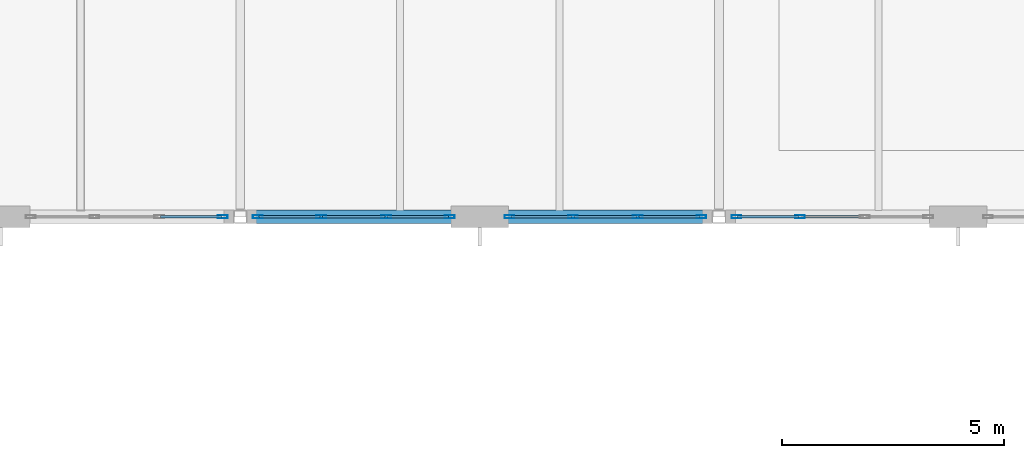
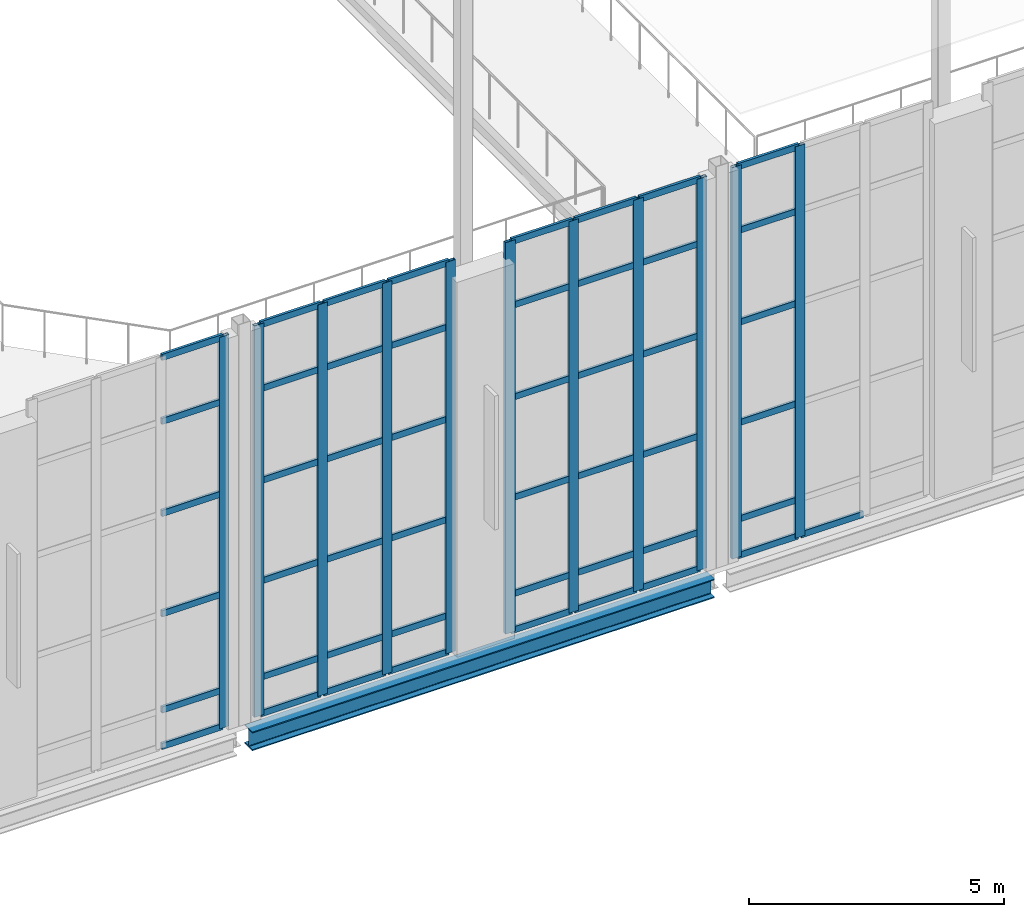
# One storey, part 28 of 100: 60 members, 1 beam, 4 elements without a shape of their own.
"""IFC4 building model written with IfcOpenShell, lengths in metres."""

from ifc_helpers import new_model, si_unit, direction, frame, origin, origin_2d, place, context, subcontext, project, spatial, hollow_rectangle, i_section, extrude, material, layer, layer_set, material_profile, profile_set, type_object, element, aggregate, save


model = new_model("IFC4")

# Units and contexts
model_context = context("Model", 3, precision=1e-05, world=origin(), true_north=direction((0.0, 1.0)))
body_context = subcontext(model_context, "Body", "Model", "MODEL_VIEW")
ifc_project = project(units=[si_unit("LENGTHUNIT", "METRE"), si_unit("AREAUNIT", "SQUARE_METRE"), si_unit("VOLUMEUNIT", "CUBIC_METRE"), si_unit("PLANEANGLEUNIT", "RADIAN"), si_unit("MASSUNIT", "GRAM", prefix="KILO")], contexts=[model_context])

# Site, building, storey
site_placement = place(None, origin())
site = spatial("IfcSite", under=ifc_project, at=site_placement, CompositionType="ELEMENT")
building_placement = place(site_placement, origin())
building = spatial("IfcBuilding", under=site, at=building_placement, Name="Tasgan Crest Museum", CompositionType="ELEMENT")
storey_placement = place(building_placement, frame((0.0, 0.0, 14.39990234375)))
storey = spatial("IfcBuildingStorey", under=building, at=storey_placement, Name="L03", CompositionType="ELEMENT", Elevation=14.39990234375)

# Beam
ifc_material_1 = material(Name="Steel S355J2", Category="steel")
ifc_material_profile_1 = material_profile(ifc_material_1, i_section(OverallWidth=0.300048828125, OverallDepth=0.449951171875, WebThickness=0.013916015625, FlangeThickness=0.02587890625, FilletRadius=0.027099609375, at=origin_2d()), Name="HEB 450")
ifc_profile_set_1 = profile_set([ifc_material_profile_1], Name="Steel S355J2")
beam_type = type_object("IfcBeamType", Name="BM-G-HEB450", PredefinedType="BEAM", material=ifc_profile_set_1)
beam_placement = place(storey_placement, frame((64.973876953125, 40.0, -0.46484375), z_axis=(1.0, 0.0, 0.0), x_axis=(0.0, 1.0, 0.0)))
element("IfcBeam", 1, at=beam_placement, inside=storey, type_object=beam_type, Name="Girder L03 E 64.8-75.6", PredefinedType="BEAM", context=body_context, shape_type="SweptSolid", body=[
    extrude(i_section(OverallWidth=0.300048828125, OverallDepth=0.449951171875, WebThickness=0.013916015625, FlangeThickness=0.02587890625, FilletRadius=0.027099609375, at=origin_2d()), origin(), (0.0, 0.0, 1.0), 10.452392578125),
])

# Curtain wall, member
ifc_material_2 = material(Name="Triple-Glazed Aluminium Curtain Wall", Category="aluminium")
ifc_layer = layer(ifc_material_2, 0.179931640625, Name="CW-DRUM-X-96")
ifc_layer_set = layer_set([ifc_layer], Name="Triple-Glazed Aluminium Curtain Wall")
curtain_wall_type = type_object("IfcCurtainWallType", Name="CW-DRUM-X-96", PredefinedType="NOTDEFINED", material=ifc_layer_set)
curtain_wall_1_placement = place(storey_placement, origin())
curtain_wall_1 = element("IfcCurtainWall", 2, at=curtain_wall_1_placement, inside=storey, type_object=curtain_wall_type, Name="Curtain wall L03 146", PredefinedType="NOTDEFINED")
ifc_material_3 = material(Name="Anodised Aluminium", Category="aluminium")
ifc_material_profile_2 = material_profile(ifc_material_3, hollow_rectangle(XDim=0.074951171875, YDim=0.219970703125, WallThickness=0.006103515625, at=origin_2d()), Name="ALU MULLION 220x75x6")
ifc_profile_set_2 = profile_set([ifc_material_profile_2], Name="Anodised Aluminium")
member_type_1 = type_object("IfcMemberType", Name="CW-MULLION-220", PredefinedType="MULLION", material=ifc_profile_set_2)
member_1_placement = place(storey_placement, frame((64.405029296875, 40.0, 0.0), z_axis=(0.0, 0.0, 1.0), x_axis=(0.0, 1.0, 0.0)))
member_1 = element("IfcMember", 3, at=member_1_placement, type_object=member_type_1, Name="CW06 mullion 4", PredefinedType="MULLION", context=body_context, shape_type="SweptSolid", body=[
    extrude(hollow_rectangle(XDim=0.074951171875, YDim=0.219970703125, WallThickness=0.006103515625, at=origin_2d()), origin(), (0.0, 0.0, 1.0), 9.360107421875),
])

# Curtain wall, members
curtain_wall_2_placement = place(storey_placement, origin())
curtain_wall_2 = element("IfcCurtainWall", 4, at=curtain_wall_2_placement, inside=storey, type_object=curtain_wall_type, Name="Curtain wall L03 147", PredefinedType="NOTDEFINED")
member_2_placement = place(storey_placement, frame((65.195068359375, 40.0, 0.0), z_axis=(0.0, 0.0, 1.0), x_axis=(0.0, 1.0, 0.0)))
member_2 = element("IfcMember", 5, at=member_2_placement, type_object=member_type_1, Name="CW06 mullion 1", PredefinedType="MULLION", context=body_context, shape_type="SweptSolid", body=[
    extrude(hollow_rectangle(XDim=0.074951171875, YDim=0.219970703125, WallThickness=0.006103515625, at=origin_2d()), origin(), (0.0, 0.0, 1.0), 9.360107421875),
])
member_3_placement = place(storey_placement, frame((66.62841796875, 40.0, 0.0), z_axis=(0.0, 0.0, 1.0), x_axis=(0.0, 1.0, 0.0)))
member_3 = element("IfcMember", 6, at=member_3_placement, type_object=member_type_1, Name="CW06 mullion 2", PredefinedType="MULLION", context=body_context, shape_type="SweptSolid", body=[
    extrude(hollow_rectangle(XDim=0.074951171875, YDim=0.219970703125, WallThickness=0.006103515625, at=origin_2d()), origin(), (0.0, 0.0, 1.0), 9.360107421875),
])
member_4_placement = place(storey_placement, frame((68.091552734375, 40.0, 0.0), z_axis=(0.0, 0.0, 1.0), x_axis=(0.0, 1.0, 0.0)))
member_4 = element("IfcMember", 7, at=member_4_placement, type_object=member_type_1, Name="CW06 mullion 3", PredefinedType="MULLION", context=body_context, shape_type="SweptSolid", body=[
    extrude(hollow_rectangle(XDim=0.074951171875, YDim=0.219970703125, WallThickness=0.006103515625, at=origin_2d()), origin(), (0.0, 0.0, 1.0), 9.360107421875),
])
member_5_placement = place(storey_placement, frame((69.52490234375, 40.0, 0.0), z_axis=(0.0, 0.0, 1.0), x_axis=(0.0, 1.0, 0.0)))
member_5 = element("IfcMember", 8, at=member_5_placement, type_object=member_type_1, Name="CW06 mullion 4", PredefinedType="MULLION", context=body_context, shape_type="SweptSolid", body=[
    extrude(hollow_rectangle(XDim=0.074951171875, YDim=0.219970703125, WallThickness=0.006103515625, at=origin_2d()), origin(), (0.0, 0.0, 1.0), 9.360107421875),
])

curtain_wall_3_placement = place(storey_placement, origin())
curtain_wall_3 = element("IfcCurtainWall", 9, at=curtain_wall_3_placement, inside=storey, type_object=curtain_wall_type, Name="Curtain wall L03 148", PredefinedType="NOTDEFINED")
member_6_placement = place(storey_placement, frame((70.875, 40.0, 0.0), z_axis=(0.0, 0.0, 1.0), x_axis=(0.0, 1.0, 0.0)))
member_6 = element("IfcMember", 10, at=member_6_placement, type_object=member_type_1, Name="CW06 mullion 1", PredefinedType="MULLION", context=body_context, shape_type="SweptSolid", body=[
    extrude(hollow_rectangle(XDim=0.074951171875, YDim=0.219970703125, WallThickness=0.006103515625, at=origin_2d()), origin(), (0.0, 0.0, 1.0), 9.360107421875),
])
member_7_placement = place(storey_placement, frame((72.308349609375, 40.0, 0.0), z_axis=(0.0, 0.0, 1.0), x_axis=(0.0, 1.0, 0.0)))
member_7 = element("IfcMember", 11, at=member_7_placement, type_object=member_type_1, Name="CW06 mullion 2", PredefinedType="MULLION", context=body_context, shape_type="SweptSolid", body=[
    extrude(hollow_rectangle(XDim=0.074951171875, YDim=0.219970703125, WallThickness=0.006103515625, at=origin_2d()), origin(), (0.0, 0.0, 1.0), 9.360107421875),
])
member_8_placement = place(storey_placement, frame((73.771728515625, 40.0, 0.0), z_axis=(0.0, 0.0, 1.0), x_axis=(0.0, 1.0, 0.0)))
member_8 = element("IfcMember", 12, at=member_8_placement, type_object=member_type_1, Name="CW06 mullion 3", PredefinedType="MULLION", context=body_context, shape_type="SweptSolid", body=[
    extrude(hollow_rectangle(XDim=0.074951171875, YDim=0.219970703125, WallThickness=0.006103515625, at=origin_2d()), origin(), (0.0, 0.0, 1.0), 9.360107421875),
])
member_9_placement = place(storey_placement, frame((75.205078125, 40.0, 0.0), z_axis=(0.0, 0.0, 1.0), x_axis=(0.0, 1.0, 0.0)))
member_9 = element("IfcMember", 13, at=member_9_placement, type_object=member_type_1, Name="CW06 mullion 4", PredefinedType="MULLION", context=body_context, shape_type="SweptSolid", body=[
    extrude(hollow_rectangle(XDim=0.074951171875, YDim=0.219970703125, WallThickness=0.006103515625, at=origin_2d()), origin(), (0.0, 0.0, 1.0), 9.360107421875),
])

curtain_wall_4_placement = place(storey_placement, origin())
curtain_wall_4 = element("IfcCurtainWall", 14, at=curtain_wall_4_placement, inside=storey, type_object=curtain_wall_type, Name="Curtain wall L03 149", PredefinedType="NOTDEFINED")
member_10_placement = place(storey_placement, frame((75.9951171875, 40.0, 0.0), z_axis=(0.0, 0.0, 1.0), x_axis=(0.0, 1.0, 0.0)))
member_10 = element("IfcMember", 15, at=member_10_placement, type_object=member_type_1, Name="CW06 mullion 1", PredefinedType="MULLION", context=body_context, shape_type="SweptSolid", body=[
    extrude(hollow_rectangle(XDim=0.074951171875, YDim=0.219970703125, WallThickness=0.006103515625, at=origin_2d()), origin(), (0.0, 0.0, 1.0), 9.360107421875),
])
member_11_placement = place(storey_placement, frame((77.42822265625, 40.0, 0.0), z_axis=(0.0, 0.0, 1.0), x_axis=(0.0, 1.0, 0.0)))
member_11 = element("IfcMember", 16, at=member_11_placement, type_object=member_type_1, Name="CW06 mullion 2", PredefinedType="MULLION", context=body_context, shape_type="SweptSolid", body=[
    extrude(hollow_rectangle(XDim=0.074951171875, YDim=0.219970703125, WallThickness=0.006103515625, at=origin_2d()), origin(), (0.0, 0.0, 1.0), 9.360107421875),
])

# Member
ifc_material_4 = material(Name="Anodised Aluminium", Category="aluminium")
ifc_material_profile_3 = material_profile(ifc_material_4, hollow_rectangle(XDim=0.06005859375, YDim=0.14990234375, WallThickness=0.0048828125, at=origin_2d()), Name="ALU TRANSOM 150x60x5")
ifc_profile_set_3 = profile_set([ifc_material_profile_3], Name="Anodised Aluminium")
member_type_2 = type_object("IfcMemberType", Name="CW-TRANSOM-150", PredefinedType="USERDEFINED", material=ifc_profile_set_3)
member_12_placement = place(storey_placement, frame((63.001708984375, 40.0, 0.030029296875), z_axis=(1.0, 0.0, 0.0), x_axis=(0.0, 1.0, 0.0)))
member_12 = element("IfcMember", 17, at=member_12_placement, type_object=member_type_2, Name="CW06 transom 3.1", ObjectType="TRANSOM", PredefinedType="USERDEFINED", context=body_context, shape_type="SweptSolid", body=[
    extrude(hollow_rectangle(XDim=0.06005859375, YDim=0.14990234375, WallThickness=0.0048828125, at=origin_2d()), origin(), (0.0, 0.0, 1.0), 1.373291015625),
])

member_13_placement = place(storey_placement, frame((63.001708984375, 40.0, 0.900146484375), z_axis=(1.0, 0.0, 0.0), x_axis=(0.0, 1.0, 0.0)))
member_13 = element("IfcMember", 18, at=member_13_placement, type_object=member_type_2, Name="CW06 transom 3.2", ObjectType="TRANSOM", PredefinedType="USERDEFINED", context=body_context, shape_type="SweptSolid", body=[
    extrude(hollow_rectangle(XDim=0.06005859375, YDim=0.14990234375, WallThickness=0.0048828125, at=origin_2d()), origin(), (0.0, 0.0, 1.0), 1.373291015625),
])

member_14_placement = place(storey_placement, frame((63.001708984375, 40.0, 3.2001953125), z_axis=(1.0, 0.0, 0.0), x_axis=(0.0, 1.0, 0.0)))
member_14 = element("IfcMember", 19, at=member_14_placement, type_object=member_type_2, Name="CW06 transom 3.3", ObjectType="TRANSOM", PredefinedType="USERDEFINED", context=body_context, shape_type="SweptSolid", body=[
    extrude(hollow_rectangle(XDim=0.06005859375, YDim=0.14990234375, WallThickness=0.0048828125, at=origin_2d()), origin(), (0.0, 0.0, 1.0), 1.373291015625),
])

member_15_placement = place(storey_placement, frame((63.001708984375, 40.0, 5.60009765625), z_axis=(1.0, 0.0, 0.0), x_axis=(0.0, 1.0, 0.0)))
member_15 = element("IfcMember", 20, at=member_15_placement, type_object=member_type_2, Name="CW06 transom 3.4", ObjectType="TRANSOM", PredefinedType="USERDEFINED", context=body_context, shape_type="SweptSolid", body=[
    extrude(hollow_rectangle(XDim=0.06005859375, YDim=0.14990234375, WallThickness=0.0048828125, at=origin_2d()), origin(), (0.0, 0.0, 1.0), 1.373291015625),
])

member_16_placement = place(storey_placement, frame((63.001708984375, 40.0, 7.800048828125), z_axis=(1.0, 0.0, 0.0), x_axis=(0.0, 1.0, 0.0)))
member_16 = element("IfcMember", 21, at=member_16_placement, type_object=member_type_2, Name="CW06 transom 3.5", ObjectType="TRANSOM", PredefinedType="USERDEFINED", context=body_context, shape_type="SweptSolid", body=[
    extrude(hollow_rectangle(XDim=0.06005859375, YDim=0.14990234375, WallThickness=0.0048828125, at=origin_2d()), origin(), (0.0, 0.0, 1.0), 1.373291015625),
])

member_17_placement = place(storey_placement, frame((63.001708984375, 40.0, 9.330078125), z_axis=(1.0, 0.0, 0.0), x_axis=(0.0, 1.0, 0.0)))
member_17 = element("IfcMember", 22, at=member_17_placement, type_object=member_type_2, Name="CW06 transom 3.6", ObjectType="TRANSOM", PredefinedType="USERDEFINED", context=body_context, shape_type="SweptSolid", body=[
    extrude(hollow_rectangle(XDim=0.06005859375, YDim=0.14990234375, WallThickness=0.0048828125, at=origin_2d()), origin(), (0.0, 0.0, 1.0), 1.373291015625),
])

aggregate(curtain_wall_1, [member_1, member_12, member_13, member_14, member_15, member_16, member_17])

member_18_placement = place(storey_placement, frame((65.22509765625, 40.0, 0.030029296875), z_axis=(1.0, 0.0, 0.0), x_axis=(0.0, 1.0, 0.0)))
member_18 = element("IfcMember", 23, at=member_18_placement, type_object=member_type_2, Name="CW06 transom 1.1", ObjectType="TRANSOM", PredefinedType="USERDEFINED", context=body_context, shape_type="SweptSolid", body=[
    extrude(hollow_rectangle(XDim=0.06005859375, YDim=0.14990234375, WallThickness=0.0048828125, at=origin_2d()), origin(), (0.0, 0.0, 1.0), 1.373291015625),
])

member_19_placement = place(storey_placement, frame((65.22509765625, 40.0, 0.900146484375), z_axis=(1.0, 0.0, 0.0), x_axis=(0.0, 1.0, 0.0)))
member_19 = element("IfcMember", 24, at=member_19_placement, type_object=member_type_2, Name="CW06 transom 1.2", ObjectType="TRANSOM", PredefinedType="USERDEFINED", context=body_context, shape_type="SweptSolid", body=[
    extrude(hollow_rectangle(XDim=0.06005859375, YDim=0.14990234375, WallThickness=0.0048828125, at=origin_2d()), origin(), (0.0, 0.0, 1.0), 1.373291015625),
])

member_20_placement = place(storey_placement, frame((65.22509765625, 40.0, 3.2001953125), z_axis=(1.0, 0.0, 0.0), x_axis=(0.0, 1.0, 0.0)))
member_20 = element("IfcMember", 25, at=member_20_placement, type_object=member_type_2, Name="CW06 transom 1.3", ObjectType="TRANSOM", PredefinedType="USERDEFINED", context=body_context, shape_type="SweptSolid", body=[
    extrude(hollow_rectangle(XDim=0.06005859375, YDim=0.14990234375, WallThickness=0.0048828125, at=origin_2d()), origin(), (0.0, 0.0, 1.0), 1.373291015625),
])

member_21_placement = place(storey_placement, frame((65.22509765625, 40.0, 5.60009765625), z_axis=(1.0, 0.0, 0.0), x_axis=(0.0, 1.0, 0.0)))
member_21 = element("IfcMember", 26, at=member_21_placement, type_object=member_type_2, Name="CW06 transom 1.4", ObjectType="TRANSOM", PredefinedType="USERDEFINED", context=body_context, shape_type="SweptSolid", body=[
    extrude(hollow_rectangle(XDim=0.06005859375, YDim=0.14990234375, WallThickness=0.0048828125, at=origin_2d()), origin(), (0.0, 0.0, 1.0), 1.373291015625),
])

member_22_placement = place(storey_placement, frame((65.22509765625, 40.0, 7.800048828125), z_axis=(1.0, 0.0, 0.0), x_axis=(0.0, 1.0, 0.0)))
member_22 = element("IfcMember", 27, at=member_22_placement, type_object=member_type_2, Name="CW06 transom 1.5", ObjectType="TRANSOM", PredefinedType="USERDEFINED", context=body_context, shape_type="SweptSolid", body=[
    extrude(hollow_rectangle(XDim=0.06005859375, YDim=0.14990234375, WallThickness=0.0048828125, at=origin_2d()), origin(), (0.0, 0.0, 1.0), 1.373291015625),
])

member_23_placement = place(storey_placement, frame((65.22509765625, 40.0, 9.330078125), z_axis=(1.0, 0.0, 0.0), x_axis=(0.0, 1.0, 0.0)))
member_23 = element("IfcMember", 28, at=member_23_placement, type_object=member_type_2, Name="CW06 transom 1.6", ObjectType="TRANSOM", PredefinedType="USERDEFINED", context=body_context, shape_type="SweptSolid", body=[
    extrude(hollow_rectangle(XDim=0.06005859375, YDim=0.14990234375, WallThickness=0.0048828125, at=origin_2d()), origin(), (0.0, 0.0, 1.0), 1.373291015625),
])

member_24_placement = place(storey_placement, frame((66.658447265625, 40.0, 0.030029296875), z_axis=(1.0, 0.0, 0.0), x_axis=(0.0, 1.0, 0.0)))
member_24 = element("IfcMember", 29, at=member_24_placement, type_object=member_type_2, Name="CW06 transom 2.1", ObjectType="TRANSOM", PredefinedType="USERDEFINED", context=body_context, shape_type="SweptSolid", body=[
    extrude(hollow_rectangle(XDim=0.06005859375, YDim=0.14990234375, WallThickness=0.0048828125, at=origin_2d()), origin(), (0.0, 0.0, 1.0), 1.4033203125),
])

member_25_placement = place(storey_placement, frame((66.658447265625, 40.0, 0.900146484375), z_axis=(1.0, 0.0, 0.0), x_axis=(0.0, 1.0, 0.0)))
member_25 = element("IfcMember", 30, at=member_25_placement, type_object=member_type_2, Name="CW06 transom 2.2", ObjectType="TRANSOM", PredefinedType="USERDEFINED", context=body_context, shape_type="SweptSolid", body=[
    extrude(hollow_rectangle(XDim=0.06005859375, YDim=0.14990234375, WallThickness=0.0048828125, at=origin_2d()), origin(), (0.0, 0.0, 1.0), 1.4033203125),
])

member_26_placement = place(storey_placement, frame((66.658447265625, 40.0, 3.2001953125), z_axis=(1.0, 0.0, 0.0), x_axis=(0.0, 1.0, 0.0)))
member_26 = element("IfcMember", 31, at=member_26_placement, type_object=member_type_2, Name="CW06 transom 2.3", ObjectType="TRANSOM", PredefinedType="USERDEFINED", context=body_context, shape_type="SweptSolid", body=[
    extrude(hollow_rectangle(XDim=0.06005859375, YDim=0.14990234375, WallThickness=0.0048828125, at=origin_2d()), origin(), (0.0, 0.0, 1.0), 1.4033203125),
])

member_27_placement = place(storey_placement, frame((66.658447265625, 40.0, 5.60009765625), z_axis=(1.0, 0.0, 0.0), x_axis=(0.0, 1.0, 0.0)))
member_27 = element("IfcMember", 32, at=member_27_placement, type_object=member_type_2, Name="CW06 transom 2.4", ObjectType="TRANSOM", PredefinedType="USERDEFINED", context=body_context, shape_type="SweptSolid", body=[
    extrude(hollow_rectangle(XDim=0.06005859375, YDim=0.14990234375, WallThickness=0.0048828125, at=origin_2d()), origin(), (0.0, 0.0, 1.0), 1.4033203125),
])

member_28_placement = place(storey_placement, frame((66.658447265625, 40.0, 7.800048828125), z_axis=(1.0, 0.0, 0.0), x_axis=(0.0, 1.0, 0.0)))
member_28 = element("IfcMember", 33, at=member_28_placement, type_object=member_type_2, Name="CW06 transom 2.5", ObjectType="TRANSOM", PredefinedType="USERDEFINED", context=body_context, shape_type="SweptSolid", body=[
    extrude(hollow_rectangle(XDim=0.06005859375, YDim=0.14990234375, WallThickness=0.0048828125, at=origin_2d()), origin(), (0.0, 0.0, 1.0), 1.4033203125),
])

member_29_placement = place(storey_placement, frame((66.658447265625, 40.0, 9.330078125), z_axis=(1.0, 0.0, 0.0), x_axis=(0.0, 1.0, 0.0)))
member_29 = element("IfcMember", 34, at=member_29_placement, type_object=member_type_2, Name="CW06 transom 2.6", ObjectType="TRANSOM", PredefinedType="USERDEFINED", context=body_context, shape_type="SweptSolid", body=[
    extrude(hollow_rectangle(XDim=0.06005859375, YDim=0.14990234375, WallThickness=0.0048828125, at=origin_2d()), origin(), (0.0, 0.0, 1.0), 1.4033203125),
])

member_30_placement = place(storey_placement, frame((68.12158203125, 40.0, 0.030029296875), z_axis=(1.0, 0.0, 0.0), x_axis=(0.0, 1.0, 0.0)))
member_30 = element("IfcMember", 35, at=member_30_placement, type_object=member_type_2, Name="CW06 transom 3.1", ObjectType="TRANSOM", PredefinedType="USERDEFINED", context=body_context, shape_type="SweptSolid", body=[
    extrude(hollow_rectangle(XDim=0.06005859375, YDim=0.14990234375, WallThickness=0.0048828125, at=origin_2d()), origin(), (0.0, 0.0, 1.0), 1.37353515625),
])

member_31_placement = place(storey_placement, frame((68.12158203125, 40.0, 0.900146484375), z_axis=(1.0, 0.0, 0.0), x_axis=(0.0, 1.0, 0.0)))
member_31 = element("IfcMember", 36, at=member_31_placement, type_object=member_type_2, Name="CW06 transom 3.2", ObjectType="TRANSOM", PredefinedType="USERDEFINED", context=body_context, shape_type="SweptSolid", body=[
    extrude(hollow_rectangle(XDim=0.06005859375, YDim=0.14990234375, WallThickness=0.0048828125, at=origin_2d()), origin(), (0.0, 0.0, 1.0), 1.37353515625),
])

member_32_placement = place(storey_placement, frame((68.12158203125, 40.0, 3.2001953125), z_axis=(1.0, 0.0, 0.0), x_axis=(0.0, 1.0, 0.0)))
member_32 = element("IfcMember", 37, at=member_32_placement, type_object=member_type_2, Name="CW06 transom 3.3", ObjectType="TRANSOM", PredefinedType="USERDEFINED", context=body_context, shape_type="SweptSolid", body=[
    extrude(hollow_rectangle(XDim=0.06005859375, YDim=0.14990234375, WallThickness=0.0048828125, at=origin_2d()), origin(), (0.0, 0.0, 1.0), 1.37353515625),
])

member_33_placement = place(storey_placement, frame((68.12158203125, 40.0, 5.60009765625), z_axis=(1.0, 0.0, 0.0), x_axis=(0.0, 1.0, 0.0)))
member_33 = element("IfcMember", 38, at=member_33_placement, type_object=member_type_2, Name="CW06 transom 3.4", ObjectType="TRANSOM", PredefinedType="USERDEFINED", context=body_context, shape_type="SweptSolid", body=[
    extrude(hollow_rectangle(XDim=0.06005859375, YDim=0.14990234375, WallThickness=0.0048828125, at=origin_2d()), origin(), (0.0, 0.0, 1.0), 1.37353515625),
])

member_34_placement = place(storey_placement, frame((68.12158203125, 40.0, 7.800048828125), z_axis=(1.0, 0.0, 0.0), x_axis=(0.0, 1.0, 0.0)))
member_34 = element("IfcMember", 39, at=member_34_placement, type_object=member_type_2, Name="CW06 transom 3.5", ObjectType="TRANSOM", PredefinedType="USERDEFINED", context=body_context, shape_type="SweptSolid", body=[
    extrude(hollow_rectangle(XDim=0.06005859375, YDim=0.14990234375, WallThickness=0.0048828125, at=origin_2d()), origin(), (0.0, 0.0, 1.0), 1.37353515625),
])

member_35_placement = place(storey_placement, frame((68.12158203125, 40.0, 9.330078125), z_axis=(1.0, 0.0, 0.0), x_axis=(0.0, 1.0, 0.0)))
member_35 = element("IfcMember", 40, at=member_35_placement, type_object=member_type_2, Name="CW06 transom 3.6", ObjectType="TRANSOM", PredefinedType="USERDEFINED", context=body_context, shape_type="SweptSolid", body=[
    extrude(hollow_rectangle(XDim=0.06005859375, YDim=0.14990234375, WallThickness=0.0048828125, at=origin_2d()), origin(), (0.0, 0.0, 1.0), 1.37353515625),
])

aggregate(curtain_wall_2, [member_2, member_3, member_4, member_5, member_18, member_19, member_20, member_21, member_22, member_23, member_24, member_25, member_26, member_27, member_28, member_29, member_30, member_31, member_32, member_33, member_34, member_35])

member_36_placement = place(storey_placement, frame((70.905029296875, 40.0, 0.030029296875), z_axis=(1.0, 0.0, 0.0), x_axis=(0.0, 1.0, 0.0)))
member_36 = element("IfcMember", 41, at=member_36_placement, type_object=member_type_2, Name="CW06 transom 1.1", ObjectType="TRANSOM", PredefinedType="USERDEFINED", context=body_context, shape_type="SweptSolid", body=[
    extrude(hollow_rectangle(XDim=0.06005859375, YDim=0.14990234375, WallThickness=0.0048828125, at=origin_2d()), origin(), (0.0, 0.0, 1.0), 1.373291015625),
])

member_37_placement = place(storey_placement, frame((70.905029296875, 40.0, 0.900146484375), z_axis=(1.0, 0.0, 0.0), x_axis=(0.0, 1.0, 0.0)))
member_37 = element("IfcMember", 42, at=member_37_placement, type_object=member_type_2, Name="CW06 transom 1.2", ObjectType="TRANSOM", PredefinedType="USERDEFINED", context=body_context, shape_type="SweptSolid", body=[
    extrude(hollow_rectangle(XDim=0.06005859375, YDim=0.14990234375, WallThickness=0.0048828125, at=origin_2d()), origin(), (0.0, 0.0, 1.0), 1.373291015625),
])

member_38_placement = place(storey_placement, frame((70.905029296875, 40.0, 3.2001953125), z_axis=(1.0, 0.0, 0.0), x_axis=(0.0, 1.0, 0.0)))
member_38 = element("IfcMember", 43, at=member_38_placement, type_object=member_type_2, Name="CW06 transom 1.3", ObjectType="TRANSOM", PredefinedType="USERDEFINED", context=body_context, shape_type="SweptSolid", body=[
    extrude(hollow_rectangle(XDim=0.06005859375, YDim=0.14990234375, WallThickness=0.0048828125, at=origin_2d()), origin(), (0.0, 0.0, 1.0), 1.373291015625),
])

member_39_placement = place(storey_placement, frame((70.905029296875, 40.0, 5.60009765625), z_axis=(1.0, 0.0, 0.0), x_axis=(0.0, 1.0, 0.0)))
member_39 = element("IfcMember", 44, at=member_39_placement, type_object=member_type_2, Name="CW06 transom 1.4", ObjectType="TRANSOM", PredefinedType="USERDEFINED", context=body_context, shape_type="SweptSolid", body=[
    extrude(hollow_rectangle(XDim=0.06005859375, YDim=0.14990234375, WallThickness=0.0048828125, at=origin_2d()), origin(), (0.0, 0.0, 1.0), 1.373291015625),
])

member_40_placement = place(storey_placement, frame((70.905029296875, 40.0, 7.800048828125), z_axis=(1.0, 0.0, 0.0), x_axis=(0.0, 1.0, 0.0)))
member_40 = element("IfcMember", 45, at=member_40_placement, type_object=member_type_2, Name="CW06 transom 1.5", ObjectType="TRANSOM", PredefinedType="USERDEFINED", context=body_context, shape_type="SweptSolid", body=[
    extrude(hollow_rectangle(XDim=0.06005859375, YDim=0.14990234375, WallThickness=0.0048828125, at=origin_2d()), origin(), (0.0, 0.0, 1.0), 1.373291015625),
])

member_41_placement = place(storey_placement, frame((70.905029296875, 40.0, 9.330078125), z_axis=(1.0, 0.0, 0.0), x_axis=(0.0, 1.0, 0.0)))
member_41 = element("IfcMember", 46, at=member_41_placement, type_object=member_type_2, Name="CW06 transom 1.6", ObjectType="TRANSOM", PredefinedType="USERDEFINED", context=body_context, shape_type="SweptSolid", body=[
    extrude(hollow_rectangle(XDim=0.06005859375, YDim=0.14990234375, WallThickness=0.0048828125, at=origin_2d()), origin(), (0.0, 0.0, 1.0), 1.373291015625),
])

member_42_placement = place(storey_placement, frame((72.33837890625, 40.0, 0.030029296875), z_axis=(1.0, 0.0, 0.0), x_axis=(0.0, 1.0, 0.0)))
member_42 = element("IfcMember", 47, at=member_42_placement, type_object=member_type_2, Name="CW06 transom 2.1", ObjectType="TRANSOM", PredefinedType="USERDEFINED", context=body_context, shape_type="SweptSolid", body=[
    extrude(hollow_rectangle(XDim=0.06005859375, YDim=0.14990234375, WallThickness=0.0048828125, at=origin_2d()), origin(), (0.0, 0.0, 1.0), 1.4033203125),
])

member_43_placement = place(storey_placement, frame((72.33837890625, 40.0, 0.900146484375), z_axis=(1.0, 0.0, 0.0), x_axis=(0.0, 1.0, 0.0)))
member_43 = element("IfcMember", 48, at=member_43_placement, type_object=member_type_2, Name="CW06 transom 2.2", ObjectType="TRANSOM", PredefinedType="USERDEFINED", context=body_context, shape_type="SweptSolid", body=[
    extrude(hollow_rectangle(XDim=0.06005859375, YDim=0.14990234375, WallThickness=0.0048828125, at=origin_2d()), origin(), (0.0, 0.0, 1.0), 1.4033203125),
])

member_44_placement = place(storey_placement, frame((72.33837890625, 40.0, 3.2001953125), z_axis=(1.0, 0.0, 0.0), x_axis=(0.0, 1.0, 0.0)))
member_44 = element("IfcMember", 49, at=member_44_placement, type_object=member_type_2, Name="CW06 transom 2.3", ObjectType="TRANSOM", PredefinedType="USERDEFINED", context=body_context, shape_type="SweptSolid", body=[
    extrude(hollow_rectangle(XDim=0.06005859375, YDim=0.14990234375, WallThickness=0.0048828125, at=origin_2d()), origin(), (0.0, 0.0, 1.0), 1.4033203125),
])

member_45_placement = place(storey_placement, frame((72.33837890625, 40.0, 5.60009765625), z_axis=(1.0, 0.0, 0.0), x_axis=(0.0, 1.0, 0.0)))
member_45 = element("IfcMember", 50, at=member_45_placement, type_object=member_type_2, Name="CW06 transom 2.4", ObjectType="TRANSOM", PredefinedType="USERDEFINED", context=body_context, shape_type="SweptSolid", body=[
    extrude(hollow_rectangle(XDim=0.06005859375, YDim=0.14990234375, WallThickness=0.0048828125, at=origin_2d()), origin(), (0.0, 0.0, 1.0), 1.4033203125),
])

member_46_placement = place(storey_placement, frame((72.33837890625, 40.0, 7.800048828125), z_axis=(1.0, 0.0, 0.0), x_axis=(0.0, 1.0, 0.0)))
member_46 = element("IfcMember", 51, at=member_46_placement, type_object=member_type_2, Name="CW06 transom 2.5", ObjectType="TRANSOM", PredefinedType="USERDEFINED", context=body_context, shape_type="SweptSolid", body=[
    extrude(hollow_rectangle(XDim=0.06005859375, YDim=0.14990234375, WallThickness=0.0048828125, at=origin_2d()), origin(), (0.0, 0.0, 1.0), 1.4033203125),
])

member_47_placement = place(storey_placement, frame((72.33837890625, 40.0, 9.330078125), z_axis=(1.0, 0.0, 0.0), x_axis=(0.0, 1.0, 0.0)))
member_47 = element("IfcMember", 52, at=member_47_placement, type_object=member_type_2, Name="CW06 transom 2.6", ObjectType="TRANSOM", PredefinedType="USERDEFINED", context=body_context, shape_type="SweptSolid", body=[
    extrude(hollow_rectangle(XDim=0.06005859375, YDim=0.14990234375, WallThickness=0.0048828125, at=origin_2d()), origin(), (0.0, 0.0, 1.0), 1.4033203125),
])

member_48_placement = place(storey_placement, frame((73.8017578125, 40.0, 0.030029296875), z_axis=(1.0, 0.0, 0.0), x_axis=(0.0, 1.0, 0.0)))
member_48 = element("IfcMember", 53, at=member_48_placement, type_object=member_type_2, Name="CW06 transom 3.1", ObjectType="TRANSOM", PredefinedType="USERDEFINED", context=body_context, shape_type="SweptSolid", body=[
    extrude(hollow_rectangle(XDim=0.06005859375, YDim=0.14990234375, WallThickness=0.0048828125, at=origin_2d()), origin(), (0.0, 0.0, 1.0), 1.373291015625),
])

member_49_placement = place(storey_placement, frame((73.8017578125, 40.0, 0.900146484375), z_axis=(1.0, 0.0, 0.0), x_axis=(0.0, 1.0, 0.0)))
member_49 = element("IfcMember", 54, at=member_49_placement, type_object=member_type_2, Name="CW06 transom 3.2", ObjectType="TRANSOM", PredefinedType="USERDEFINED", context=body_context, shape_type="SweptSolid", body=[
    extrude(hollow_rectangle(XDim=0.06005859375, YDim=0.14990234375, WallThickness=0.0048828125, at=origin_2d()), origin(), (0.0, 0.0, 1.0), 1.373291015625),
])

member_50_placement = place(storey_placement, frame((73.8017578125, 40.0, 3.2001953125), z_axis=(1.0, 0.0, 0.0), x_axis=(0.0, 1.0, 0.0)))
member_50 = element("IfcMember", 55, at=member_50_placement, type_object=member_type_2, Name="CW06 transom 3.3", ObjectType="TRANSOM", PredefinedType="USERDEFINED", context=body_context, shape_type="SweptSolid", body=[
    extrude(hollow_rectangle(XDim=0.06005859375, YDim=0.14990234375, WallThickness=0.0048828125, at=origin_2d()), origin(), (0.0, 0.0, 1.0), 1.373291015625),
])

member_51_placement = place(storey_placement, frame((73.8017578125, 40.0, 5.60009765625), z_axis=(1.0, 0.0, 0.0), x_axis=(0.0, 1.0, 0.0)))
member_51 = element("IfcMember", 56, at=member_51_placement, type_object=member_type_2, Name="CW06 transom 3.4", ObjectType="TRANSOM", PredefinedType="USERDEFINED", context=body_context, shape_type="SweptSolid", body=[
    extrude(hollow_rectangle(XDim=0.06005859375, YDim=0.14990234375, WallThickness=0.0048828125, at=origin_2d()), origin(), (0.0, 0.0, 1.0), 1.373291015625),
])

member_52_placement = place(storey_placement, frame((73.8017578125, 40.0, 7.800048828125), z_axis=(1.0, 0.0, 0.0), x_axis=(0.0, 1.0, 0.0)))
member_52 = element("IfcMember", 57, at=member_52_placement, type_object=member_type_2, Name="CW06 transom 3.5", ObjectType="TRANSOM", PredefinedType="USERDEFINED", context=body_context, shape_type="SweptSolid", body=[
    extrude(hollow_rectangle(XDim=0.06005859375, YDim=0.14990234375, WallThickness=0.0048828125, at=origin_2d()), origin(), (0.0, 0.0, 1.0), 1.373291015625),
])

member_53_placement = place(storey_placement, frame((73.8017578125, 40.0, 9.330078125), z_axis=(1.0, 0.0, 0.0), x_axis=(0.0, 1.0, 0.0)))
member_53 = element("IfcMember", 58, at=member_53_placement, type_object=member_type_2, Name="CW06 transom 3.6", ObjectType="TRANSOM", PredefinedType="USERDEFINED", context=body_context, shape_type="SweptSolid", body=[
    extrude(hollow_rectangle(XDim=0.06005859375, YDim=0.14990234375, WallThickness=0.0048828125, at=origin_2d()), origin(), (0.0, 0.0, 1.0), 1.373291015625),
])

aggregate(curtain_wall_3, [member_6, member_7, member_8, member_9, member_36, member_37, member_38, member_39, member_40, member_41, member_42, member_43, member_44, member_45, member_46, member_47, member_48, member_49, member_50, member_51, member_52, member_53])

member_54_placement = place(storey_placement, frame((76.02490234375, 40.0, 0.030029296875), z_axis=(1.0, 0.0, 0.0), x_axis=(0.0, 1.0, 0.0)))
member_54 = element("IfcMember", 59, at=member_54_placement, type_object=member_type_2, Name="CW06 transom 1.1", ObjectType="TRANSOM", PredefinedType="USERDEFINED", context=body_context, shape_type="SweptSolid", body=[
    extrude(hollow_rectangle(XDim=0.06005859375, YDim=0.14990234375, WallThickness=0.0048828125, at=origin_2d()), origin(), (0.0, 0.0, 1.0), 1.37353515625),
])

member_55_placement = place(storey_placement, frame((76.02490234375, 40.0, 0.900146484375), z_axis=(1.0, 0.0, 0.0), x_axis=(0.0, 1.0, 0.0)))
member_55 = element("IfcMember", 60, at=member_55_placement, type_object=member_type_2, Name="CW06 transom 1.2", ObjectType="TRANSOM", PredefinedType="USERDEFINED", context=body_context, shape_type="SweptSolid", body=[
    extrude(hollow_rectangle(XDim=0.06005859375, YDim=0.14990234375, WallThickness=0.0048828125, at=origin_2d()), origin(), (0.0, 0.0, 1.0), 1.37353515625),
])

member_56_placement = place(storey_placement, frame((76.02490234375, 40.0, 3.2001953125), z_axis=(1.0, 0.0, 0.0), x_axis=(0.0, 1.0, 0.0)))
member_56 = element("IfcMember", 61, at=member_56_placement, type_object=member_type_2, Name="CW06 transom 1.3", ObjectType="TRANSOM", PredefinedType="USERDEFINED", context=body_context, shape_type="SweptSolid", body=[
    extrude(hollow_rectangle(XDim=0.06005859375, YDim=0.14990234375, WallThickness=0.0048828125, at=origin_2d()), origin(), (0.0, 0.0, 1.0), 1.37353515625),
])

member_57_placement = place(storey_placement, frame((76.02490234375, 40.0, 5.60009765625), z_axis=(1.0, 0.0, 0.0), x_axis=(0.0, 1.0, 0.0)))
member_57 = element("IfcMember", 62, at=member_57_placement, type_object=member_type_2, Name="CW06 transom 1.4", ObjectType="TRANSOM", PredefinedType="USERDEFINED", context=body_context, shape_type="SweptSolid", body=[
    extrude(hollow_rectangle(XDim=0.06005859375, YDim=0.14990234375, WallThickness=0.0048828125, at=origin_2d()), origin(), (0.0, 0.0, 1.0), 1.37353515625),
])

member_58_placement = place(storey_placement, frame((76.02490234375, 40.0, 7.800048828125), z_axis=(1.0, 0.0, 0.0), x_axis=(0.0, 1.0, 0.0)))
member_58 = element("IfcMember", 63, at=member_58_placement, type_object=member_type_2, Name="CW06 transom 1.5", ObjectType="TRANSOM", PredefinedType="USERDEFINED", context=body_context, shape_type="SweptSolid", body=[
    extrude(hollow_rectangle(XDim=0.06005859375, YDim=0.14990234375, WallThickness=0.0048828125, at=origin_2d()), origin(), (0.0, 0.0, 1.0), 1.37353515625),
])

member_59_placement = place(storey_placement, frame((76.02490234375, 40.0, 9.330078125), z_axis=(1.0, 0.0, 0.0), x_axis=(0.0, 1.0, 0.0)))
member_59 = element("IfcMember", 64, at=member_59_placement, type_object=member_type_2, Name="CW06 transom 1.6", ObjectType="TRANSOM", PredefinedType="USERDEFINED", context=body_context, shape_type="SweptSolid", body=[
    extrude(hollow_rectangle(XDim=0.06005859375, YDim=0.14990234375, WallThickness=0.0048828125, at=origin_2d()), origin(), (0.0, 0.0, 1.0), 1.37353515625),
])

member_60_placement = place(storey_placement, frame((77.458251953125, 40.0, 0.030029296875), z_axis=(1.0, 0.0, 0.0), x_axis=(0.0, 1.0, 0.0)))
member_60 = element("IfcMember", 65, at=member_60_placement, type_object=member_type_2, Name="CW06 transom 2.1", ObjectType="TRANSOM", PredefinedType="USERDEFINED", context=body_context, shape_type="SweptSolid", body=[
    extrude(hollow_rectangle(XDim=0.06005859375, YDim=0.14990234375, WallThickness=0.0048828125, at=origin_2d()), origin(), (0.0, 0.0, 1.0), 1.4033203125),
])

aggregate(curtain_wall_4, [member_10, member_11, member_54, member_55, member_56, member_57, member_58, member_59, member_60])

save(model, "model.ifc")
